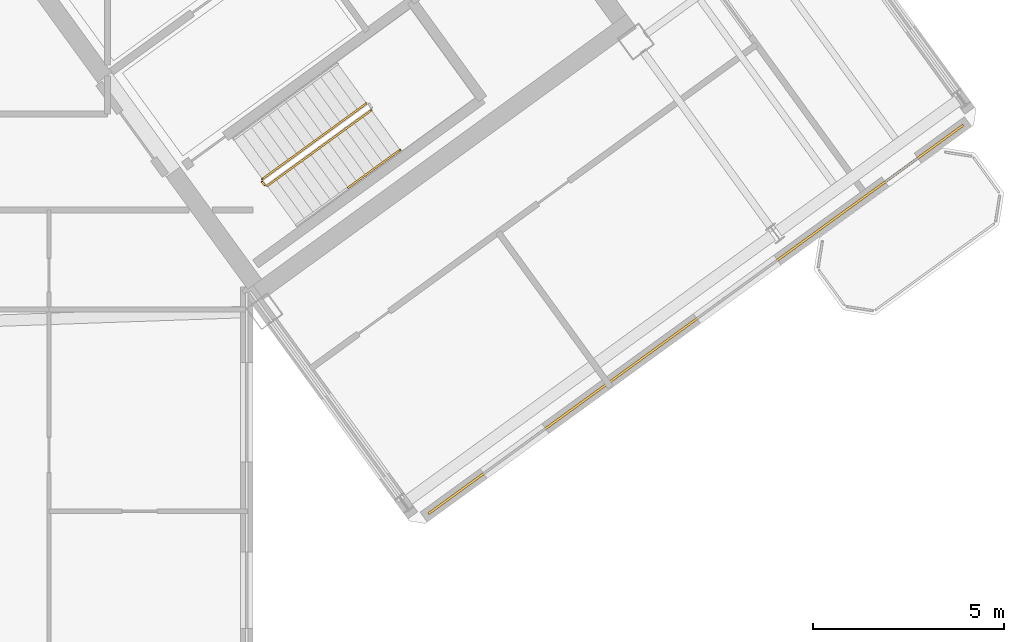
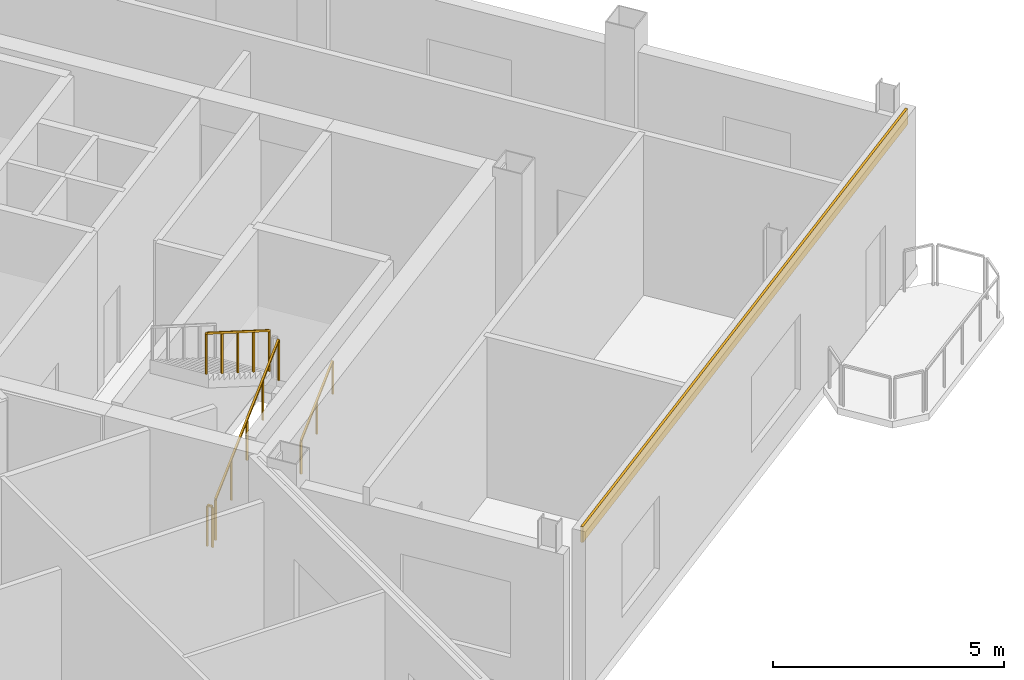
# One storey, part 25 of 27: 4 railings, 1 covering.
"""IFC4 building model written with IfcOpenShell, lengths in metres."""

from ifc_helpers import new_model, si_unit, direction, frame, origin, origin_2d, place, context, subcontext, project, spatial, rectangle, extrude, source, transform, mapped, material, layer, layer_set, type_object, element, save


model = new_model("IFC4")

# Units and contexts
model_context = context("Model", 3, precision=1e-05, world=origin(), true_north=direction((0.0, 1.0)))
body_context = subcontext(model_context, "Body", "Model", "MODEL_VIEW")
ifc_project = project(units=[si_unit("LENGTHUNIT", "METRE"), si_unit("AREAUNIT", "SQUARE_METRE"), si_unit("VOLUMEUNIT", "CUBIC_METRE"), si_unit("PLANEANGLEUNIT", "RADIAN"), si_unit("MASSUNIT", "GRAM", prefix="KILO")], contexts=[model_context])

# Site, building, storey
site_placement = place(None, origin())
site = spatial("IfcSite", under=ifc_project, at=site_placement, CompositionType="ELEMENT")
building_placement = place(site_placement, origin())
building = spatial("IfcBuilding", under=site, at=building_placement, Name="Tlacorven Tower", CompositionType="ELEMENT")
storey_placement = place(building_placement, frame((0.0, 0.0, 254.699951171875)))
storey = spatial("IfcBuildingStorey", under=building, at=storey_placement, Name="L64", CompositionType="ELEMENT", Elevation=254.699951171875)

# Covering
ifc_material_1 = material(Name="Precast concrete C45/55", Category="concrete")
ifc_layer = layer(ifc_material_1, 0.06005859375)
ifc_layer_set = layer_set([ifc_layer], Name="Precast concrete C45/55")
covering_type = type_object("IfcCoveringType", Name="CV-CLD-TERC", PredefinedType="CLADDING", material=ifc_layer_set)
shared_shape_1 = source(origin(), body_context, "Body", "SweptSolid", [
    extrude(rectangle(XDim=17.287353515625, YDim=0.06005859375, at=origin_2d()), origin(), (0.0, 0.0, 1.0), 0.419921875),
])
covering_placement = place(storey_placement, frame((63.9833984375, 12.562255859375, 3.830078125), z_axis=(0.0, 0.0, 1.0), x_axis=(-0.809017097486, -0.587785110372, 0.0)))
element("IfcCovering", 1, at=covering_placement, inside=storey, type_object=covering_type, Name="L64 Masonry-Frame Spandrel Cladding 6", PredefinedType="CLADDING", context=body_context, shape_type="MappedRepresentation", body=[
    mapped(shared_shape_1, transform((0.0, 0.0, 0.0), scale=1.0)),
])

# Railings
ifc_material_2 = material(Name="Aluminium and painted steel balustrade", Category="steel")
railing_type_1 = type_object("IfcRailingType", Name="RL-GRD-1100", PredefinedType="GUARDRAIL", material=ifc_material_2)
shared_shape_2 = source(origin(), body_context, "Body", "SweptSolid", [
    extrude(rectangle(XDim=0.048095703125, YDim=0.048095703125, at=origin_2d()), frame((0.0, 0.0, 1.076171875), z_axis=(-0.587567097037, 0.809175448515, 0.0), x_axis=(-0.809175448515, -0.587567097037, 0.0)), (0.0, 0.0, 1.0), 0.1201171875),
    extrude(rectangle(XDim=0.0419921875, YDim=0.0419921875, at=origin_2d()), origin(), (0.0, 0.0, 1.0), 1.052001953125),
    extrude(rectangle(XDim=0.0419921875, YDim=0.0419921875, at=origin_2d()), frame((-0.070556640625, 0.09716796875, 0.0)), (0.0, 0.0, 1.0), 1.052001953125),
])
railing_1_placement = place(storey_placement, frame((52.71142578125, 16.065673828125, 0.0)))
element("IfcRailing", 2, at=railing_1_placement, inside=storey, type_object=railing_type_1, Name="L64 ST-E2 stair guard 4", PredefinedType="GUARDRAIL", context=body_context, shape_type="MappedRepresentation", body=[
    mapped(shared_shape_2, transform((0.0, 0.0, 0.0), scale=1.0)),
])
shared_shape_3 = source(origin(), body_context, "Body", "SweptSolid", [
    extrude(rectangle(XDim=0.048095703125, YDim=0.048095703125, at=origin_2d()), frame((0.0, 0.0, 1.076171875), z_axis=(0.688166980386, 0.499962520599, 0.525798141023), x_axis=(-0.587769819143, 0.809028206989, 0.0)), (0.0, 0.0, 1.0), 3.949951171875),
    extrude(rectangle(XDim=0.0419921875, YDim=0.0419921875, at=origin_2d()), origin(), (0.0, 0.0, 1.0), 1.052001953125),
    extrude(rectangle(XDim=0.0419921875, YDim=0.0419921875, at=origin_2d()), frame((0.6796875, 0.49365234375, 0.519287109375)), (0.0, 0.0, 1.0), 1.052001953125),
    extrude(rectangle(XDim=0.0419921875, YDim=0.0419921875, at=origin_2d()), frame((1.359130859375, 0.9873046875, 1.03857421875)), (0.0, 0.0, 1.0), 1.052001953125),
    extrude(rectangle(XDim=0.0419921875, YDim=0.0419921875, at=origin_2d()), frame((2.03857421875, 1.481201171875, 1.5576171875)), (0.0, 0.0, 1.0), 1.052001953125),
    extrude(rectangle(XDim=0.0419921875, YDim=0.0419921875, at=origin_2d()), frame((2.71826171875, 1.974853515625, 2.076904296875)), (0.0, 0.0, 1.0), 1.052001953125),
])
railing_2_placement = place(storey_placement, frame((52.78125, 16.0546875, 0.173095703125)))
element("IfcRailing", 3, at=railing_2_placement, inside=storey, type_object=railing_type_1, Name="L64 ST-E2 stair guard 1", PredefinedType="GUARDRAIL", context=body_context, shape_type="MappedRepresentation", body=[
    mapped(shared_shape_3, transform((0.0, 0.0, 0.0), scale=1.0)),
])
shared_shape_4 = source(origin(), body_context, "Body", "SweptSolid", [
    extrude(rectangle(XDim=0.048095703125, YDim=0.048095703125, at=origin_2d()), frame((0.0, 0.0, 1.076171875), z_axis=(-0.688166980386, -0.499962520599, 0.525798141023), x_axis=(0.587769819143, -0.809028206989, 0.0)), (0.0, 0.0, 1.0), 3.949951171875),
    extrude(rectangle(XDim=0.0419921875, YDim=0.0419921875, at=origin_2d()), origin(), (0.0, 0.0, 1.0), 1.052001953125),
    extrude(rectangle(XDim=0.0419921875, YDim=0.0419921875, at=origin_2d()), frame((-0.6796875, -0.49365234375, 0.519287109375)), (0.0, 0.0, 1.0), 1.052001953125),
    extrude(rectangle(XDim=0.0419921875, YDim=0.0419921875, at=origin_2d()), frame((-1.359130859375, -0.9873046875, 1.03857421875)), (0.0, 0.0, 1.0), 1.052001953125),
    extrude(rectangle(XDim=0.0419921875, YDim=0.0419921875, at=origin_2d()), frame((-2.03857421875, -1.481201171875, 1.5576171875)), (0.0, 0.0, 1.0), 1.052001953125),
    extrude(rectangle(XDim=0.0419921875, YDim=0.0419921875, at=origin_2d()), frame((-2.71826171875, -1.974853515625, 2.076904296875)), (0.0, 0.0, 1.0), 1.052001953125),
])
railing_3_placement = place(storey_placement, frame((55.3701171875, 18.20751953125, 2.423095703125)))
element("IfcRailing", 4, at=railing_3_placement, inside=storey, type_object=railing_type_1, Name="L64 ST-E2 stair guard 3", PredefinedType="GUARDRAIL", context=body_context, shape_type="MappedRepresentation", body=[
    mapped(shared_shape_4, transform((0.0, 0.0, 0.0), scale=1.0)),
])
railing_type_2 = type_object("IfcRailingType", Name="RL-HND-0900", PredefinedType="HANDRAIL", material=ifc_material_2)
shared_shape_5 = source(origin(), body_context, "Body", "SweptSolid", [
    extrude(rectangle(XDim=0.048095703125, YDim=0.048095703125, at=origin_2d()), frame((0.0, 0.0, 0.8759765625), z_axis=(0.688168076653, 0.500025124854, 0.525737170829), x_axis=(-0.587817375869, 0.808993654256, 0.0)), (0.0, 0.0, 1.0), 1.97509765625),
    extrude(rectangle(XDim=0.0419921875, YDim=0.0419921875, at=origin_2d()), origin(), (0.0, 0.0, 1.0), 0.851806640625),
    extrude(rectangle(XDim=0.0419921875, YDim=0.0419921875, at=origin_2d()), frame((0.6796875, 0.49365234375, 0.51904296875)), (0.0, 0.0, 1.0), 0.851806640625),
    extrude(rectangle(XDim=0.0419921875, YDim=0.0419921875, at=origin_2d()), frame((1.359130859375, 0.987548828125, 1.038330078125)), (0.0, 0.0, 1.0), 0.851806640625),
])
railing_4_placement = place(storey_placement, frame((54.892822265625, 16.006591796875, 1.211669921875)))
element("IfcRailing", 5, at=railing_4_placement, inside=storey, type_object=railing_type_2, Name="L64 ST-E2 stair handrail 2", PredefinedType="HANDRAIL", context=body_context, shape_type="MappedRepresentation", body=[
    mapped(shared_shape_5, transform((0.0, 0.0, 0.0), scale=1.0)),
])

save(model, "model.ifc")
